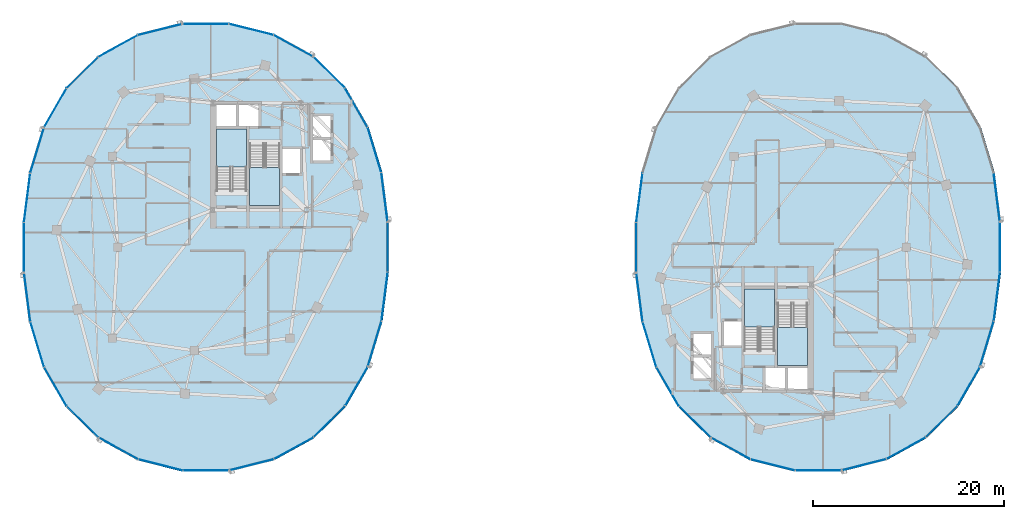
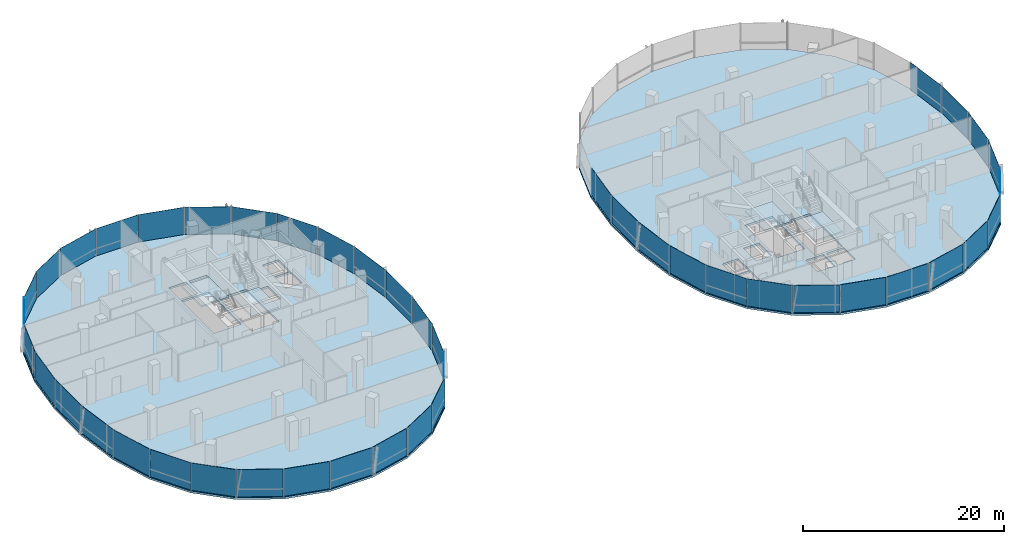
# One storey, part 10 of 23: 45 plates, 6 slabs, 12 elements without a shape of their own.
"""IFC4 building model written with IfcOpenShell, lengths in metres."""

from ifc_helpers import new_model, si_unit, direction, frame, origin, origin_2d, place, context, subcontext, project, spatial, polyline, rectangle, outline, extrude, material, layer, layer_set, type_object, element, aggregate, save


model = new_model("IFC4")

# Units and contexts
model_context = context("Model", 3, precision=1e-05, world=origin(), true_north=direction((0.0, 1.0)))
body_context = subcontext(model_context, "Body", "Model", "MODEL_VIEW")
ifc_project = project(units=[si_unit("LENGTHUNIT", "METRE"), si_unit("AREAUNIT", "SQUARE_METRE"), si_unit("VOLUMEUNIT", "CUBIC_METRE"), si_unit("PLANEANGLEUNIT", "RADIAN"), si_unit("MASSUNIT", "GRAM", prefix="KILO"), si_unit("THERMODYNAMICTEMPERATUREUNIT", "KELVIN"), si_unit("POWERUNIT", "WATT")], contexts=[model_context])

# Site, building, storey
site_placement = place(None, origin())
site = spatial("IfcSite", under=ifc_project, at=site_placement, CompositionType="ELEMENT")
building_placement = place(site_placement, origin())
building = spatial("IfcBuilding", under=site, at=building_placement, Name="Cundina Bronze Exchange", CompositionType="ELEMENT")
storey_placement = place(building_placement, frame((0.0, 0.0, 169.199951171875)))
storey = spatial("IfcBuildingStorey", under=building, at=storey_placement, Name="L44", CompositionType="ELEMENT", Elevation=169.199951171875)

# Curtain wall, plates
ifc_material_1 = material(Name="Anodised Bronze Aluminium 6063-T6", Category="aluminium")
curtain_wall_type = type_object("IfcCurtainWallType", Name="CWS-WST-PIN", PredefinedType="NOTDEFINED", material=ifc_material_1)
curtain_wall_1_placement = place(storey_placement, origin())
curtain_wall_1 = element("IfcCurtainWall", 1, at=curtain_wall_1_placement, inside=storey, type_object=curtain_wall_type, Name="L44 CW-04 Curtain Wall Run CWR-L44-W1", PredefinedType="NOTDEFINED")
ifc_material_2 = material(Name="Heat-Strengthened Solar-Control Bronze Safety Glass 28mm", Category="glass")
ifc_layer_1 = layer(ifc_material_2, 0.028076171875, Name="Heat-Strengthened Solar-Control Bronze Safety Glass 28mm", Category="glass")
ifc_layer_set_1 = layer_set([ifc_layer_1], Name="Heat-Strengthened Solar-Control Bronze Safety Glass 28mm")
plate_type_1 = type_object("IfcPlateType", Name="PLT-GLZ-VIS28", PredefinedType="CURTAIN_PANEL", material=ifc_layer_set_1)
plate_1_placement = place(storey_placement, frame((-14.36669921875, 10.14208984375, 0.02001953125), z_axis=(0.0, 0.0, 1.0), x_axis=(-0.290050843957, 0.957011237092, 0.0)))
plate_1 = element("IfcPlate", 2, at=plate_1_placement, type_object=plate_type_1, Name="CW-04 Glazed Panel 2", PredefinedType="CURTAIN_PANEL", context=body_context, shape_type="SweptSolid", body=[
    extrude(rectangle(XDim=4.885009765625, YDim=0.028076171875, at=origin_2d()), origin(), (0.0, 0.0, 1.0), 3.320068359375),
])
plate_2_placement = place(storey_placement, frame((-16.265625, 14.564697265625, 0.02001953125), z_axis=(0.0, 0.0, 1.0), x_axis=(-0.498487739754, 0.866896748936, 0.0)))
plate_2 = element("IfcPlate", 3, at=plate_2_placement, type_object=plate_type_1, Name="CW-04 Glazed Panel 3", PredefinedType="CURTAIN_PANEL", context=body_context, shape_type="SweptSolid", body=[
    extrude(rectangle(XDim=4.676513671875, YDim=0.028076171875, at=origin_2d()), origin(), (0.0, 0.0, 1.0), 3.320068359375),
])
plate_3_placement = place(storey_placement, frame((-19.105224609375, 18.253662109375, 0.02001953125), z_axis=(0.0, 0.0, 1.0), x_axis=(-0.711989280367, 0.702190333629, 0.0)))
plate_3 = element("IfcPlate", 4, at=plate_3_placement, type_object=plate_type_1, Name="CW-04 Glazed Panel 4", PredefinedType="CURTAIN_PANEL", context=body_context, shape_type="SweptSolid", body=[
    extrude(rectangle(XDim=4.6025390625, YDim=0.028076171875, at=origin_2d()), origin(), (0.0, 0.0, 1.0), 3.320068359375),
])
plate_4_placement = place(storey_placement, frame((-22.83154296875, 21.02880859375, 0.02001953125), z_axis=(0.0, 0.0, 1.0), x_axis=(-0.875869093438, 0.482548786301, 0.0)))
plate_4 = element("IfcPlate", 5, at=plate_4_placement, type_object=plate_type_1, Name="CW-04 Glazed Panel 5", PredefinedType="CURTAIN_PANEL", context=body_context, shape_type="SweptSolid", body=[
    extrude(rectangle(XDim=4.661865234375, YDim=0.028076171875, at=origin_2d()), origin(), (0.0, 0.0, 1.0), 3.320068359375),
])
plate_5_placement = place(storey_placement, frame((-32.0, 23.3369140625, 0.02001953125), z_axis=(0.0, 0.0, 1.0), x_axis=(-1.0, 0.0, 0.0)))
plate_5 = element("IfcPlate", 6, at=plate_5_placement, type_object=plate_type_1, Name="CW-04 Glazed Panel 7", PredefinedType="CURTAIN_PANEL", context=body_context, shape_type="SweptSolid", body=[
    extrude(rectangle(XDim=4.7958984375, YDim=0.028076171875, at=origin_2d()), origin(), (0.0, 0.0, 1.0), 3.320068359375),
])

curtain_wall_2_placement = place(storey_placement, origin())
curtain_wall_2 = element("IfcCurtainWall", 7, at=curtain_wall_2_placement, inside=storey, type_object=curtain_wall_type, Name="L44 CW-04 Curtain Wall Run CWR-L44-W2", PredefinedType="NOTDEFINED")
plate_6_placement = place(storey_placement, frame((-36.76513671875, 22.75244140625, 0.02001953125), z_axis=(0.0, 0.0, 1.0), x_axis=(-0.970092713791, -0.242734683656, 0.0)))
plate_6 = element("IfcPlate", 8, at=plate_6_placement, type_object=plate_type_1, Name="CW-04 Glazed Panel 1", PredefinedType="CURTAIN_PANEL", context=body_context, shape_type="SweptSolid", body=[
    extrude(rectangle(XDim=4.7548828125, YDim=0.028076171875, at=origin_2d()), origin(), (0.0, 0.0, 1.0), 3.320068359375),
])
plate_7_placement = place(storey_placement, frame((-41.16845703125, 21.02880859375, 0.02001953125), z_axis=(0.0, 0.0, 1.0), x_axis=(-0.875869093438, -0.482548786301, 0.0)))
plate_7 = element("IfcPlate", 9, at=plate_7_placement, type_object=plate_type_1, Name="CW-04 Glazed Panel 2", PredefinedType="CURTAIN_PANEL", context=body_context, shape_type="SweptSolid", body=[
    extrude(rectangle(XDim=4.661865234375, YDim=0.028076171875, at=origin_2d()), origin(), (0.0, 0.0, 1.0), 3.320068359375),
])
plate_8_placement = place(storey_placement, frame((-44.894775390625, 18.253662109375, 0.02001953125), z_axis=(0.0, 0.0, 1.0), x_axis=(-0.711989280367, -0.702190333629, 0.0)))
plate_8 = element("IfcPlate", 10, at=plate_8_placement, type_object=plate_type_1, Name="CW-04 Glazed Panel 3", PredefinedType="CURTAIN_PANEL", context=body_context, shape_type="SweptSolid", body=[
    extrude(rectangle(XDim=4.6025390625, YDim=0.028076171875, at=origin_2d()), origin(), (0.0, 0.0, 1.0), 3.320068359375),
])
plate_9_placement = place(storey_placement, frame((-47.734375, 14.564697265625, 0.02001953125), z_axis=(0.0, 0.0, 1.0), x_axis=(-0.498487739754, -0.866896748936, 0.0)))
plate_9 = element("IfcPlate", 11, at=plate_9_placement, type_object=plate_type_1, Name="CW-04 Glazed Panel 4", PredefinedType="CURTAIN_PANEL", context=body_context, shape_type="SweptSolid", body=[
    extrude(rectangle(XDim=4.676513671875, YDim=0.028076171875, at=origin_2d()), origin(), (0.0, 0.0, 1.0), 3.320068359375),
])
plate_10_placement = place(storey_placement, frame((-50.679443359375, 5.2041015625, 0.02001953125), z_axis=(0.0, 0.0, 1.0), x_axis=(-0.126475984253, -0.9919696696, 0.0)))
plate_10 = element("IfcPlate", 12, at=plate_10_placement, type_object=plate_type_1, Name="CW-04 Glazed Panel 6", PredefinedType="CURTAIN_PANEL", context=body_context, shape_type="SweptSolid", body=[
    extrude(rectangle(XDim=5.104736328125, YDim=0.028076171875, at=origin_2d()), origin(), (0.0, 0.0, 1.0), 3.320068359375),
])
plate_11_placement = place(storey_placement, frame((-51.007080078125, 0.0, 0.02001953125), z_axis=(0.0, 0.0, 1.0), x_axis=(0.0, -1.0, 0.0)))
plate_11 = element("IfcPlate", 13, at=plate_11_placement, type_object=plate_type_1, Name="CW-04 Glazed Panel 7", PredefinedType="CURTAIN_PANEL", context=body_context, shape_type="SweptSolid", body=[
    extrude(rectangle(XDim=5.194091796875, YDim=0.028076171875, at=origin_2d()), origin(), (0.0, 0.0, 1.0), 3.320068359375),
])

curtain_wall_3_placement = place(storey_placement, origin())
curtain_wall_3 = element("IfcCurtainWall", 14, at=curtain_wall_3_placement, inside=storey, type_object=curtain_wall_type, Name="L44 CW-04 Curtain Wall Run CWR-L44-W3", PredefinedType="NOTDEFINED")
plate_12_placement = place(storey_placement, frame((-50.679443359375, -5.2041015625, 0.02001953125), z_axis=(0.0, 0.0, 1.0), x_axis=(0.126475984253, -0.9919696696, 0.0)))
plate_12 = element("IfcPlate", 15, at=plate_12_placement, type_object=plate_type_1, Name="CW-04 Glazed Panel 1", PredefinedType="CURTAIN_PANEL", context=body_context, shape_type="SweptSolid", body=[
    extrude(rectangle(XDim=5.104736328125, YDim=0.028076171875, at=origin_2d()), origin(), (0.0, 0.0, 1.0), 3.320068359375),
])
plate_13_placement = place(storey_placement, frame((-49.63330078125, -10.14208984375, 0.02001953125), z_axis=(0.0, 0.0, 1.0), x_axis=(0.290050843957, -0.957011237092, 0.0)))
plate_13 = element("IfcPlate", 16, at=plate_13_placement, type_object=plate_type_1, Name="CW-04 Glazed Panel 2", PredefinedType="CURTAIN_PANEL", context=body_context, shape_type="SweptSolid", body=[
    extrude(rectangle(XDim=4.885009765625, YDim=0.028076171875, at=origin_2d()), origin(), (0.0, 0.0, 1.0), 3.320068359375),
])
plate_14_placement = place(storey_placement, frame((-47.734375, -14.564697265625, 0.02001953125), z_axis=(0.0, 0.0, 1.0), x_axis=(0.498487739754, -0.866896748936, 0.0)))
plate_14 = element("IfcPlate", 17, at=plate_14_placement, type_object=plate_type_1, Name="CW-04 Glazed Panel 3", PredefinedType="CURTAIN_PANEL", context=body_context, shape_type="SweptSolid", body=[
    extrude(rectangle(XDim=4.676513671875, YDim=0.028076171875, at=origin_2d()), origin(), (0.0, 0.0, 1.0), 3.320068359375),
])
plate_15_placement = place(storey_placement, frame((-41.16845703125, -21.02880859375, 0.02001953125), z_axis=(0.0, 0.0, 1.0), x_axis=(0.875869093438, -0.482548786301, 0.0)))
plate_15 = element("IfcPlate", 18, at=plate_15_placement, type_object=plate_type_1, Name="CW-04 Glazed Panel 5", PredefinedType="CURTAIN_PANEL", context=body_context, shape_type="SweptSolid", body=[
    extrude(rectangle(XDim=4.661865234375, YDim=0.028076171875, at=origin_2d()), origin(), (0.0, 0.0, 1.0), 3.320068359375),
])
plate_16_placement = place(storey_placement, frame((-36.76513671875, -22.75244140625, 0.02001953125), z_axis=(0.0, 0.0, 1.0), x_axis=(0.970092713791, -0.242734683656, 0.0)))
plate_16 = element("IfcPlate", 19, at=plate_16_placement, type_object=plate_type_1, Name="CW-04 Glazed Panel 6", PredefinedType="CURTAIN_PANEL", context=body_context, shape_type="SweptSolid", body=[
    extrude(rectangle(XDim=4.7548828125, YDim=0.028076171875, at=origin_2d()), origin(), (0.0, 0.0, 1.0), 3.320068359375),
])
plate_17_placement = place(storey_placement, frame((-32.0, -23.3369140625, 0.02001953125), z_axis=(0.0, 0.0, 1.0), x_axis=(1.0, 0.0, 0.0)))
plate_17 = element("IfcPlate", 20, at=plate_17_placement, type_object=plate_type_1, Name="CW-04 Glazed Panel 7", PredefinedType="CURTAIN_PANEL", context=body_context, shape_type="SweptSolid", body=[
    extrude(rectangle(XDim=4.7958984375, YDim=0.028076171875, at=origin_2d()), origin(), (0.0, 0.0, 1.0), 3.320068359375),
])

curtain_wall_4_placement = place(storey_placement, origin())
curtain_wall_4 = element("IfcCurtainWall", 21, at=curtain_wall_4_placement, inside=storey, type_object=curtain_wall_type, Name="L44 CW-04 Curtain Wall Run CWR-L44-W4", PredefinedType="NOTDEFINED")
plate_18_placement = place(storey_placement, frame((-27.23486328125, -22.75244140625, 0.02001953125), z_axis=(0.0, 0.0, 1.0), x_axis=(0.970092713791, 0.242734683656, 0.0)))
plate_18 = element("IfcPlate", 22, at=plate_18_placement, type_object=plate_type_1, Name="CW-04 Glazed Panel 1", PredefinedType="CURTAIN_PANEL", context=body_context, shape_type="SweptSolid", body=[
    extrude(rectangle(XDim=4.7548828125, YDim=0.028076171875, at=origin_2d()), origin(), (0.0, 0.0, 1.0), 3.320068359375),
])
plate_19_placement = place(storey_placement, frame((-22.83154296875, -21.02880859375, 0.02001953125), z_axis=(0.0, 0.0, 1.0), x_axis=(0.875869093438, 0.482548786301, 0.0)))
plate_19 = element("IfcPlate", 23, at=plate_19_placement, type_object=plate_type_1, Name="CW-04 Glazed Panel 2", PredefinedType="CURTAIN_PANEL", context=body_context, shape_type="SweptSolid", body=[
    extrude(rectangle(XDim=4.661865234375, YDim=0.028076171875, at=origin_2d()), origin(), (0.0, 0.0, 1.0), 3.320068359375),
])
plate_20_placement = place(storey_placement, frame((-16.265625, -14.564697265625, 0.02001953125), z_axis=(0.0, 0.0, 1.0), x_axis=(0.498487739754, 0.866896748936, 0.0)))
plate_20 = element("IfcPlate", 24, at=plate_20_placement, type_object=plate_type_1, Name="CW-04 Glazed Panel 4", PredefinedType="CURTAIN_PANEL", context=body_context, shape_type="SweptSolid", body=[
    extrude(rectangle(XDim=4.676513671875, YDim=0.028076171875, at=origin_2d()), origin(), (0.0, 0.0, 1.0), 3.320068359375),
])
plate_21_placement = place(storey_placement, frame((-14.36669921875, -10.14208984375, 0.02001953125), z_axis=(0.0, 0.0, 1.0), x_axis=(0.290050843957, 0.957011237092, 0.0)))
plate_21 = element("IfcPlate", 25, at=plate_21_placement, type_object=plate_type_1, Name="CW-04 Glazed Panel 5", PredefinedType="CURTAIN_PANEL", context=body_context, shape_type="SweptSolid", body=[
    extrude(rectangle(XDim=4.885009765625, YDim=0.028076171875, at=origin_2d()), origin(), (0.0, 0.0, 1.0), 3.320068359375),
])
plate_22_placement = place(storey_placement, frame((-13.320556640625, -5.2041015625, 0.02001953125), z_axis=(0.0, 0.0, 1.0), x_axis=(0.126475984253, 0.9919696696, 0.0)))
plate_22 = element("IfcPlate", 26, at=plate_22_placement, type_object=plate_type_1, Name="CW-04 Glazed Panel 6", PredefinedType="CURTAIN_PANEL", context=body_context, shape_type="SweptSolid", body=[
    extrude(rectangle(XDim=5.104736328125, YDim=0.028076171875, at=origin_2d()), origin(), (0.0, 0.0, 1.0), 3.320068359375),
])
plate_23_placement = place(storey_placement, frame((-12.992919921875, 0.0, 0.02001953125), z_axis=(0.0, 0.0, 1.0), x_axis=(0.0, 1.0, 0.0)))
plate_23 = element("IfcPlate", 27, at=plate_23_placement, type_object=plate_type_1, Name="CW-04 Glazed Panel 7", PredefinedType="CURTAIN_PANEL", context=body_context, shape_type="SweptSolid", body=[
    extrude(rectangle(XDim=5.194091796875, YDim=0.028076171875, at=origin_2d()), origin(), (0.0, 0.0, 1.0), 3.320068359375),
])

curtain_wall_5_placement = place(storey_placement, origin())
curtain_wall_5 = element("IfcCurtainWall", 28, at=curtain_wall_5_placement, inside=storey, type_object=curtain_wall_type, Name="L44 CW-04 Curtain Wall Run CWR-L44-E2", PredefinedType="NOTDEFINED")
plate_24_placement = place(storey_placement, frame((13.320556640625, 5.2041015625, 0.02001953125), z_axis=(0.0, 0.0, 1.0), x_axis=(-0.126475984253, -0.9919696696, 0.0)))
plate_24 = element("IfcPlate", 29, at=plate_24_placement, type_object=plate_type_1, Name="CW-04 Glazed Panel 6", PredefinedType="CURTAIN_PANEL", context=body_context, shape_type="SweptSolid", body=[
    extrude(rectangle(XDim=5.104736328125, YDim=0.028076171875, at=origin_2d()), origin(), (0.0, 0.0, 1.0), 3.320068359375),
])
plate_25_placement = place(storey_placement, frame((12.992919921875, 0.0, 0.02001953125), z_axis=(0.0, 0.0, 1.0), x_axis=(0.0, -1.0, 0.0)))
plate_25 = element("IfcPlate", 30, at=plate_25_placement, type_object=plate_type_1, Name="CW-04 Glazed Panel 7", PredefinedType="CURTAIN_PANEL", context=body_context, shape_type="SweptSolid", body=[
    extrude(rectangle(XDim=5.194091796875, YDim=0.028076171875, at=origin_2d()), origin(), (0.0, 0.0, 1.0), 3.320068359375),
])
aggregate(curtain_wall_5, [plate_24, plate_25])

curtain_wall_6_placement = place(storey_placement, origin())
curtain_wall_6 = element("IfcCurtainWall", 31, at=curtain_wall_6_placement, inside=storey, type_object=curtain_wall_type, Name="L44 CW-04 Curtain Wall Run CWR-L44-E3", PredefinedType="NOTDEFINED")
plate_26_placement = place(storey_placement, frame((13.320556640625, -5.2041015625, 0.02001953125), z_axis=(0.0, 0.0, 1.0), x_axis=(0.126475984253, -0.9919696696, 0.0)))
plate_26 = element("IfcPlate", 32, at=plate_26_placement, type_object=plate_type_1, Name="CW-04 Glazed Panel 1", PredefinedType="CURTAIN_PANEL", context=body_context, shape_type="SweptSolid", body=[
    extrude(rectangle(XDim=5.104736328125, YDim=0.028076171875, at=origin_2d()), origin(), (0.0, 0.0, 1.0), 3.320068359375),
])
plate_27_placement = place(storey_placement, frame((14.36669921875, -10.14208984375, 0.02001953125), z_axis=(0.0, 0.0, 1.0), x_axis=(0.290050843957, -0.957011237092, 0.0)))
plate_27 = element("IfcPlate", 33, at=plate_27_placement, type_object=plate_type_1, Name="CW-04 Glazed Panel 2", PredefinedType="CURTAIN_PANEL", context=body_context, shape_type="SweptSolid", body=[
    extrude(rectangle(XDim=4.885009765625, YDim=0.028076171875, at=origin_2d()), origin(), (0.0, 0.0, 1.0), 3.320068359375),
])
plate_28_placement = place(storey_placement, frame((16.265625, -14.564697265625, 0.02001953125), z_axis=(0.0, 0.0, 1.0), x_axis=(0.498487739754, -0.866896748936, 0.0)))
plate_28 = element("IfcPlate", 34, at=plate_28_placement, type_object=plate_type_1, Name="CW-04 Glazed Panel 3", PredefinedType="CURTAIN_PANEL", context=body_context, shape_type="SweptSolid", body=[
    extrude(rectangle(XDim=4.676513671875, YDim=0.028076171875, at=origin_2d()), origin(), (0.0, 0.0, 1.0), 3.320068359375),
])
plate_29_placement = place(storey_placement, frame((22.83154296875, -21.02880859375, 0.02001953125), z_axis=(0.0, 0.0, 1.0), x_axis=(0.875869093438, -0.482548786301, 0.0)))
plate_29 = element("IfcPlate", 35, at=plate_29_placement, type_object=plate_type_1, Name="CW-04 Glazed Panel 5", PredefinedType="CURTAIN_PANEL", context=body_context, shape_type="SweptSolid", body=[
    extrude(rectangle(XDim=4.661865234375, YDim=0.028076171875, at=origin_2d()), origin(), (0.0, 0.0, 1.0), 3.320068359375),
])
plate_30_placement = place(storey_placement, frame((27.23486328125, -22.75244140625, 0.02001953125), z_axis=(0.0, 0.0, 1.0), x_axis=(0.970092713791, -0.242734683656, 0.0)))
plate_30 = element("IfcPlate", 36, at=plate_30_placement, type_object=plate_type_1, Name="CW-04 Glazed Panel 6", PredefinedType="CURTAIN_PANEL", context=body_context, shape_type="SweptSolid", body=[
    extrude(rectangle(XDim=4.7548828125, YDim=0.028076171875, at=origin_2d()), origin(), (0.0, 0.0, 1.0), 3.320068359375),
])
plate_31_placement = place(storey_placement, frame((32.0, -23.3369140625, 0.02001953125), z_axis=(0.0, 0.0, 1.0), x_axis=(1.0, 0.0, 0.0)))
plate_31 = element("IfcPlate", 37, at=plate_31_placement, type_object=plate_type_1, Name="CW-04 Glazed Panel 7", PredefinedType="CURTAIN_PANEL", context=body_context, shape_type="SweptSolid", body=[
    extrude(rectangle(XDim=4.7958984375, YDim=0.028076171875, at=origin_2d()), origin(), (0.0, 0.0, 1.0), 3.320068359375),
])

curtain_wall_7_placement = place(storey_placement, origin())
curtain_wall_7 = element("IfcCurtainWall", 38, at=curtain_wall_7_placement, inside=storey, type_object=curtain_wall_type, Name="L44 CW-04 Curtain Wall Run CWR-L44-E4", PredefinedType="NOTDEFINED")
plate_32_placement = place(storey_placement, frame((36.76513671875, -22.75244140625, 0.02001953125), z_axis=(0.0, 0.0, 1.0), x_axis=(0.970092713791, 0.242734683656, 0.0)))
plate_32 = element("IfcPlate", 39, at=plate_32_placement, type_object=plate_type_1, Name="CW-04 Glazed Panel 1", PredefinedType="CURTAIN_PANEL", context=body_context, shape_type="SweptSolid", body=[
    extrude(rectangle(XDim=4.7548828125, YDim=0.028076171875, at=origin_2d()), origin(), (0.0, 0.0, 1.0), 3.320068359375),
])
plate_33_placement = place(storey_placement, frame((41.16845703125, -21.02880859375, 0.02001953125), z_axis=(0.0, 0.0, 1.0), x_axis=(0.875869093438, 0.482548786301, 0.0)))
plate_33 = element("IfcPlate", 40, at=plate_33_placement, type_object=plate_type_1, Name="CW-04 Glazed Panel 2", PredefinedType="CURTAIN_PANEL", context=body_context, shape_type="SweptSolid", body=[
    extrude(rectangle(XDim=4.661865234375, YDim=0.028076171875, at=origin_2d()), origin(), (0.0, 0.0, 1.0), 3.320068359375),
])
plate_34_placement = place(storey_placement, frame((47.734375, -14.564697265625, 0.02001953125), z_axis=(0.0, 0.0, 1.0), x_axis=(0.498487739754, 0.866896748936, 0.0)))
plate_34 = element("IfcPlate", 41, at=plate_34_placement, type_object=plate_type_1, Name="CW-04 Glazed Panel 4", PredefinedType="CURTAIN_PANEL", context=body_context, shape_type="SweptSolid", body=[
    extrude(rectangle(XDim=4.676513671875, YDim=0.028076171875, at=origin_2d()), origin(), (0.0, 0.0, 1.0), 3.320068359375),
])
plate_35_placement = place(storey_placement, frame((49.63330078125, -10.14208984375, 0.02001953125), z_axis=(0.0, 0.0, 1.0), x_axis=(0.290050843957, 0.957011237092, 0.0)))
plate_35 = element("IfcPlate", 42, at=plate_35_placement, type_object=plate_type_1, Name="CW-04 Glazed Panel 5", PredefinedType="CURTAIN_PANEL", context=body_context, shape_type="SweptSolid", body=[
    extrude(rectangle(XDim=4.885009765625, YDim=0.028076171875, at=origin_2d()), origin(), (0.0, 0.0, 1.0), 3.320068359375),
])
plate_36_placement = place(storey_placement, frame((50.679443359375, -5.2041015625, 0.02001953125), z_axis=(0.0, 0.0, 1.0), x_axis=(0.126475984253, 0.9919696696, 0.0)))
plate_36 = element("IfcPlate", 43, at=plate_36_placement, type_object=plate_type_1, Name="CW-04 Glazed Panel 6", PredefinedType="CURTAIN_PANEL", context=body_context, shape_type="SweptSolid", body=[
    extrude(rectangle(XDim=5.104736328125, YDim=0.028076171875, at=origin_2d()), origin(), (0.0, 0.0, 1.0), 3.320068359375),
])
plate_37_placement = place(storey_placement, frame((51.007080078125, 0.0, 0.02001953125), z_axis=(0.0, 0.0, 1.0), x_axis=(0.0, 1.0, 0.0)))
plate_37 = element("IfcPlate", 44, at=plate_37_placement, type_object=plate_type_1, Name="CW-04 Glazed Panel 7", PredefinedType="CURTAIN_PANEL", context=body_context, shape_type="SweptSolid", body=[
    extrude(rectangle(XDim=5.194091796875, YDim=0.028076171875, at=origin_2d()), origin(), (0.0, 0.0, 1.0), 3.320068359375),
])

# Plate
ifc_material_3 = material(Name="Dark Bronze Spandrel Glass Panel 32mm", Category="glass")
ifc_layer_2 = layer(ifc_material_3, 0.031982421875, Name="Dark Bronze Spandrel Glass Panel 32mm", Category="glass")
ifc_layer_set_2 = layer_set([ifc_layer_2], Name="Dark Bronze Spandrel Glass Panel 32mm")
plate_type_2 = type_object("IfcPlateType", Name="PLT-SPN-BRZ32", PredefinedType="CURTAIN_PANEL", material=ifc_layer_set_2)
plate_38_placement = place(storey_placement, frame((-13.320556640625, 5.2041015625, 0.02001953125), z_axis=(0.0, 0.0, 1.0), x_axis=(-0.126475984253, 0.9919696696, 0.0)))
plate_38 = element("IfcPlate", 45, at=plate_38_placement, type_object=plate_type_2, Name="CW-04 Glazed Panel 1", PredefinedType="CURTAIN_PANEL", context=body_context, shape_type="SweptSolid", body=[
    extrude(rectangle(XDim=5.104736328125, YDim=0.031982421875, at=origin_2d()), origin(), (0.0, 0.0, 1.0), 3.320068359375),
])

plate_39_placement = place(storey_placement, frame((-27.23486328125, 22.75244140625, 0.02001953125), z_axis=(0.0, 0.0, 1.0), x_axis=(-0.970092713791, 0.242734683656, 0.0)))
plate_39 = element("IfcPlate", 46, at=plate_39_placement, type_object=plate_type_2, Name="CW-04 Glazed Panel 6", PredefinedType="CURTAIN_PANEL", context=body_context, shape_type="SweptSolid", body=[
    extrude(rectangle(XDim=4.7548828125, YDim=0.031982421875, at=origin_2d()), origin(), (0.0, 0.0, 1.0), 3.320068359375),
])

aggregate(curtain_wall_1, [plate_38, plate_1, plate_2, plate_3, plate_4, plate_39, plate_5])

plate_40_placement = place(storey_placement, frame((-49.63330078125, 10.14208984375, 0.02001953125), z_axis=(0.0, 0.0, 1.0), x_axis=(-0.290050843957, -0.957011237092, 0.0)))
plate_40 = element("IfcPlate", 47, at=plate_40_placement, type_object=plate_type_2, Name="CW-04 Glazed Panel 5", PredefinedType="CURTAIN_PANEL", context=body_context, shape_type="SweptSolid", body=[
    extrude(rectangle(XDim=4.885009765625, YDim=0.031982421875, at=origin_2d()), origin(), (0.0, 0.0, 1.0), 3.320068359375),
])

aggregate(curtain_wall_2, [plate_6, plate_7, plate_8, plate_9, plate_40, plate_10, plate_11])

plate_41_placement = place(storey_placement, frame((-44.894775390625, -18.253662109375, 0.02001953125), z_axis=(0.0, 0.0, 1.0), x_axis=(0.711989280367, -0.702190333629, 0.0)))
plate_41 = element("IfcPlate", 48, at=plate_41_placement, type_object=plate_type_2, Name="CW-04 Glazed Panel 4", PredefinedType="CURTAIN_PANEL", context=body_context, shape_type="SweptSolid", body=[
    extrude(rectangle(XDim=4.6025390625, YDim=0.031982421875, at=origin_2d()), origin(), (0.0, 0.0, 1.0), 3.320068359375),
])

aggregate(curtain_wall_3, [plate_12, plate_13, plate_14, plate_41, plate_15, plate_16, plate_17])

plate_42_placement = place(storey_placement, frame((-19.105224609375, -18.253662109375, 0.02001953125), z_axis=(0.0, 0.0, 1.0), x_axis=(0.711989280367, 0.702190333629, 0.0)))
plate_42 = element("IfcPlate", 49, at=plate_42_placement, type_object=plate_type_2, Name="CW-04 Glazed Panel 3", PredefinedType="CURTAIN_PANEL", context=body_context, shape_type="SweptSolid", body=[
    extrude(rectangle(XDim=4.6025390625, YDim=0.031982421875, at=origin_2d()), origin(), (0.0, 0.0, 1.0), 3.320068359375),
])

aggregate(curtain_wall_4, [plate_18, plate_19, plate_42, plate_20, plate_21, plate_22, plate_23])

# Curtain wall, plate
curtain_wall_8_placement = place(storey_placement, origin())
curtain_wall_8 = element("IfcCurtainWall", 50, at=curtain_wall_8_placement, inside=storey, type_object=curtain_wall_type, Name="L44 CW-04 Curtain Wall Run CWR-L44-E1", PredefinedType="NOTDEFINED")
plate_43_placement = place(storey_placement, frame((50.679443359375, 5.2041015625, 0.02001953125), z_axis=(0.0, 0.0, 1.0), x_axis=(-0.126475984253, 0.9919696696, 0.0)))
plate_43 = element("IfcPlate", 51, at=plate_43_placement, type_object=plate_type_2, Name="CW-04 Glazed Panel 1", PredefinedType="CURTAIN_PANEL", context=body_context, shape_type="SweptSolid", body=[
    extrude(rectangle(XDim=5.104736328125, YDim=0.031982421875, at=origin_2d()), origin(), (0.0, 0.0, 1.0), 3.320068359375),
])
aggregate(curtain_wall_8, [plate_43])

# Plate
plate_44_placement = place(storey_placement, frame((19.105224609375, -18.253662109375, 0.02001953125), z_axis=(0.0, 0.0, 1.0), x_axis=(0.711989280367, -0.702190333629, 0.0)))
plate_44 = element("IfcPlate", 52, at=plate_44_placement, type_object=plate_type_2, Name="CW-04 Glazed Panel 4", PredefinedType="CURTAIN_PANEL", context=body_context, shape_type="SweptSolid", body=[
    extrude(rectangle(XDim=4.6025390625, YDim=0.031982421875, at=origin_2d()), origin(), (0.0, 0.0, 1.0), 3.320068359375),
])

aggregate(curtain_wall_6, [plate_26, plate_27, plate_28, plate_44, plate_29, plate_30, plate_31])

plate_45_placement = place(storey_placement, frame((44.894775390625, -18.253662109375, 0.02001953125), z_axis=(0.0, 0.0, 1.0), x_axis=(0.711989280367, 0.702190333629, 0.0)))
plate_45 = element("IfcPlate", 53, at=plate_45_placement, type_object=plate_type_2, Name="CW-04 Glazed Panel 3", PredefinedType="CURTAIN_PANEL", context=body_context, shape_type="SweptSolid", body=[
    extrude(rectangle(XDim=4.6025390625, YDim=0.031982421875, at=origin_2d()), origin(), (0.0, 0.0, 1.0), 3.320068359375),
])

aggregate(curtain_wall_7, [plate_32, plate_33, plate_45, plate_34, plate_35, plate_36, plate_37])

# Stair, slab
ifc_material_4 = material(Name="Concrete C40/50", Category="concrete")
stair_type = type_object("IfcStairType", Name="STR-OFF-360", PredefinedType="HALF_TURN_STAIR", material=ifc_material_4)
stair_1_placement = place(storey_placement, origin())
stair_1 = element("IfcStair", 54, at=stair_1_placement, inside=storey, type_object=stair_type, Name="L44 Smokeproof Exit Stair W1", PredefinedType="HALF_TURN_STAIR")
ifc_layer_3 = layer(ifc_material_4, 0.199951171875, Name="Concrete C40/50", Category="concrete")
ifc_layer_set_3 = layer_set([ifc_layer_3], Name="Concrete C40/50")
slab_type_1 = type_object("IfcSlabType", Name="SLB-LND-200", PredefinedType="LANDING", material=ifc_layer_set_3)
slab_1_placement = place(storey_placement, frame((0.0, 0.0, 1.60009765625)))
slab_1 = element("IfcSlab", 55, at=slab_1_placement, type_object=slab_type_1, Name="ST-W1 landing 1", PredefinedType="LANDING", context=body_context, shape_type="SweptSolid", body=[
    extrude(outline(polyline([(-27.739990234375, 8.3701171875), (-27.739990234375, 12.35009765625), (-30.89990234375, 12.35009765625), (-30.89990234375, 8.3701171875), (-27.739990234375, 8.3701171875)])), origin(), (0.0, 0.0, 1.0), 0.199951171875),
])
aggregate(stair_1, [slab_1])

stair_2_placement = place(storey_placement, origin())
stair_2 = element("IfcStair", 56, at=stair_2_placement, inside=storey, type_object=stair_type, Name="L44 Smokeproof Exit Stair W2", PredefinedType="HALF_TURN_STAIR")
slab_2_placement = place(storey_placement, frame((0.0, 0.0, 1.60009765625)))
slab_2 = element("IfcSlab", 57, at=slab_2_placement, type_object=slab_type_1, Name="ST-W2 landing 1", PredefinedType="LANDING", context=body_context, shape_type="SweptSolid", body=[
    extrude(outline(polyline([(-27.43994140625, 8.330078125), (-27.43994140625, 4.35009765625), (-24.280029296875, 4.35009765625), (-24.280029296875, 8.330078125), (-27.43994140625, 8.330078125)])), origin(), (0.0, 0.0, 1.0), 0.199951171875),
])
aggregate(stair_2, [slab_2])

stair_3_placement = place(storey_placement, origin())
stair_3 = element("IfcStair", 58, at=stair_3_placement, inside=storey, type_object=stair_type, Name="L44 Smokeproof Exit Stair E1", PredefinedType="HALF_TURN_STAIR")
slab_3_placement = place(storey_placement, frame((0.0, 0.0, 1.60009765625)))
slab_3 = element("IfcSlab", 59, at=slab_3_placement, type_object=slab_type_1, Name="ST-E1 landing 1", PredefinedType="LANDING", context=body_context, shape_type="SweptSolid", body=[
    extrude(outline(polyline([(27.739990234375, -8.3701171875), (27.739990234375, -12.35009765625), (30.89990234375, -12.35009765625), (30.89990234375, -8.3701171875), (27.739990234375, -8.3701171875)])), origin(), (0.0, 0.0, 1.0), 0.199951171875),
])
aggregate(stair_3, [slab_3])

stair_4_placement = place(storey_placement, origin())
stair_4 = element("IfcStair", 60, at=stair_4_placement, inside=storey, type_object=stair_type, Name="L44 Smokeproof Exit Stair E2", PredefinedType="HALF_TURN_STAIR")
slab_4_placement = place(storey_placement, frame((0.0, 0.0, 1.60009765625)))
slab_4 = element("IfcSlab", 61, at=slab_4_placement, type_object=slab_type_1, Name="ST-E2 landing 1", PredefinedType="LANDING", context=body_context, shape_type="SweptSolid", body=[
    extrude(outline(polyline([(27.43994140625, -8.330078125), (27.43994140625, -4.35009765625), (24.280029296875, -4.35009765625), (24.280029296875, -8.330078125), (27.43994140625, -8.330078125)])), origin(), (0.0, 0.0, 1.0), 0.199951171875),
])
aggregate(stair_4, [slab_4])

# Slabs
ifc_material_5 = material(Name="Concrete C50/60", Category="concrete")
ifc_layer_4 = layer(ifc_material_5, 0.239990234375, Name="Concrete C50/60", Category="concrete")
ifc_layer_set_4 = layer_set([ifc_layer_4], Name="Concrete C50/60")
slab_type_2 = type_object("IfcSlabType", Name="SLB-WST-240", PredefinedType="FLOOR", material=ifc_layer_set_4)
slab_5_placement = place(storey_placement, frame((0.0, 0.0, -0.239990234375)))
element("IfcSlab", 62, at=slab_5_placement, inside=storey, type_object=slab_type_2, Name="L44 Leg W Structural Floor Slab", PredefinedType="FLOOR", context=body_context, shape_type="SweptSolid", body=[
    extrude(outline(polyline([(-12.8779296875, 2.64208984375), (-13.534912109375, 7.794921875), (-14.97802734375, 12.555908203125), (-17.35400390625, 16.68798828125), (-20.695068359375, 19.98291015625), (-24.85693359375, 22.27587890625), (-29.556884765625, 23.451904296875), (-34.443115234375, 23.451904296875), (-39.14306640625, 22.27587890625), (-43.304931640625, 19.98291015625), (-46.64599609375, 16.68798828125), (-49.02197265625, 12.555908203125), (-50.465087890625, 7.794921875), (-51.1220703125, 2.64208984375), (-51.1220703125, -2.64208984375), (-50.465087890625, -7.794921875), (-49.02197265625, -12.555908203125), (-46.64599609375, -16.68798828125), (-43.304931640625, -19.98291015625), (-39.14306640625, -22.27587890625), (-34.443115234375, -23.451904296875), (-29.556884765625, -23.451904296875), (-24.85693359375, -22.27587890625), (-20.695068359375, -19.98291015625), (-17.35400390625, -16.68798828125), (-14.97802734375, -12.555908203125), (-13.534912109375, -7.794921875), (-12.8779296875, -2.64208984375), (-12.8779296875, 2.64208984375)]), holes=[polyline([(-27.739990234375, 5.85009765625), (-27.739990234375, 12.35009765625), (-30.89990234375, 12.35009765625), (-30.89990234375, 5.85009765625), (-27.739990234375, 5.85009765625)]), polyline([(-27.43994140625, 10.85009765625), (-27.43994140625, 4.35009765625), (-24.280029296875, 4.35009765625), (-24.280029296875, 10.85009765625), (-27.43994140625, 10.85009765625)]), polyline([(-23.97998046875, 10.25), (-22.179931640625, 10.25), (-22.179931640625, 7.75), (-23.97998046875, 7.75), (-23.97998046875, 10.25)]), polyline([(-30.89990234375, 14.949951171875), (-28.85009765625, 14.949951171875), (-28.85009765625, 12.64990234375), (-30.89990234375, 12.64990234375), (-30.89990234375, 14.949951171875)]), polyline([(-28.550048828125, 14.949951171875), (-26.5, 14.949951171875), (-26.5, 12.64990234375), (-28.550048828125, 12.64990234375), (-28.550048828125, 14.949951171875)]), polyline([(-20.800048828125, 13.699951171875), (-18.949951171875, 13.699951171875), (-18.949951171875, 11.449951171875), (-20.800048828125, 11.449951171875), (-20.800048828125, 13.699951171875)]), polyline([(-20.800048828125, 11.300048828125), (-18.949951171875, 11.300048828125), (-18.949951171875, 9.050048828125), (-20.800048828125, 9.050048828125), (-20.800048828125, 11.300048828125)])]), origin(), (0.0, 0.0, 1.0), 0.239990234375),
])
slab_6_placement = place(storey_placement, frame((0.0, 0.0, -0.239990234375)))
element("IfcSlab", 63, at=slab_6_placement, inside=storey, type_object=slab_type_2, Name="L44 Leg E Structural Floor Slab", PredefinedType="FLOOR", context=body_context, shape_type="SweptSolid", body=[
    extrude(outline(polyline([(51.1220703125, 2.64208984375), (50.465087890625, 7.794921875), (49.02197265625, 12.555908203125), (46.64599609375, 16.68798828125), (43.304931640625, 19.98291015625), (39.14306640625, 22.27587890625), (34.443115234375, 23.451904296875), (29.556884765625, 23.451904296875), (24.85693359375, 22.27587890625), (20.695068359375, 19.98291015625), (17.35400390625, 16.68798828125), (14.97802734375, 12.555908203125), (13.534912109375, 7.794921875), (12.8779296875, 2.64208984375), (12.8779296875, -2.64208984375), (13.534912109375, -7.794921875), (14.97802734375, -12.555908203125), (17.35400390625, -16.68798828125), (20.695068359375, -19.98291015625), (24.85693359375, -22.27587890625), (29.556884765625, -23.451904296875), (34.443115234375, -23.451904296875), (39.14306640625, -22.27587890625), (43.304931640625, -19.98291015625), (46.64599609375, -16.68798828125), (49.02197265625, -12.555908203125), (50.465087890625, -7.794921875), (51.1220703125, -2.64208984375), (51.1220703125, 2.64208984375)]), holes=[polyline([(27.739990234375, -5.85009765625), (27.739990234375, -12.35009765625), (30.89990234375, -12.35009765625), (30.89990234375, -5.85009765625), (27.739990234375, -5.85009765625)]), polyline([(27.43994140625, -10.85009765625), (27.43994140625, -4.35009765625), (24.280029296875, -4.35009765625), (24.280029296875, -10.85009765625), (27.43994140625, -10.85009765625)]), polyline([(22.179931640625, -7.75), (23.97998046875, -7.75), (23.97998046875, -10.25), (22.179931640625, -10.25), (22.179931640625, -7.75)]), polyline([(28.85009765625, -12.64990234375), (30.89990234375, -12.64990234375), (30.89990234375, -14.949951171875), (28.85009765625, -14.949951171875), (28.85009765625, -12.64990234375)]), polyline([(26.5, -12.64990234375), (28.550048828125, -12.64990234375), (28.550048828125, -14.949951171875), (26.5, -14.949951171875), (26.5, -12.64990234375)]), polyline([(18.949951171875, -11.449951171875), (20.800048828125, -11.449951171875), (20.800048828125, -13.699951171875), (18.949951171875, -13.699951171875), (18.949951171875, -11.449951171875)]), polyline([(18.949951171875, -9.050048828125), (20.800048828125, -9.050048828125), (20.800048828125, -11.300048828125), (18.949951171875, -11.300048828125), (18.949951171875, -9.050048828125)])]), origin(), (0.0, 0.0, 1.0), 0.239990234375),
])

save(model, "model.ifc")
